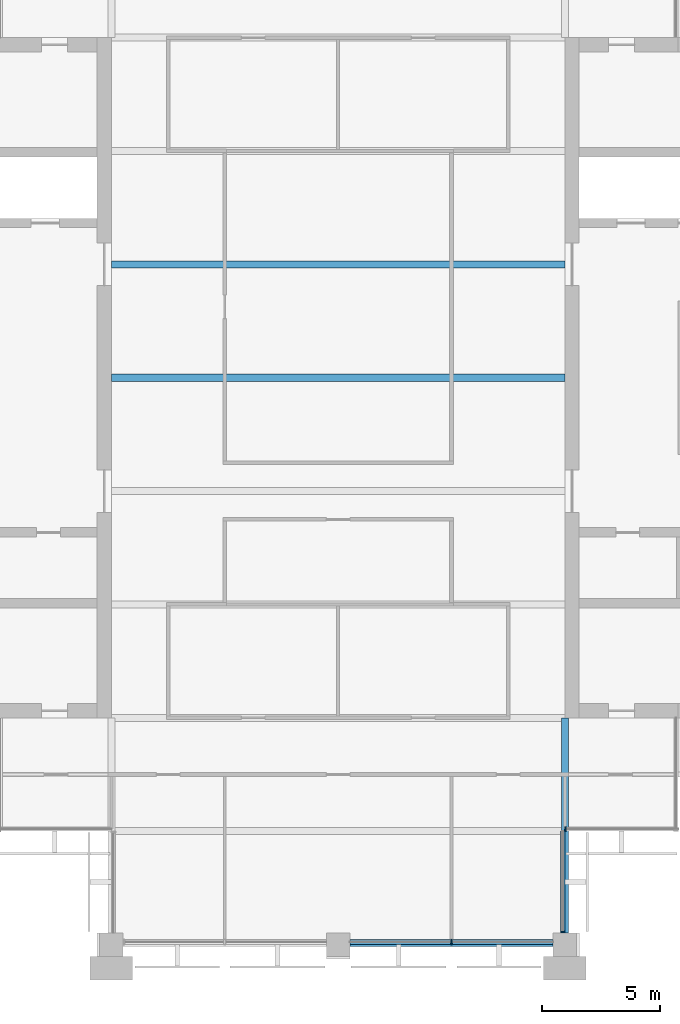
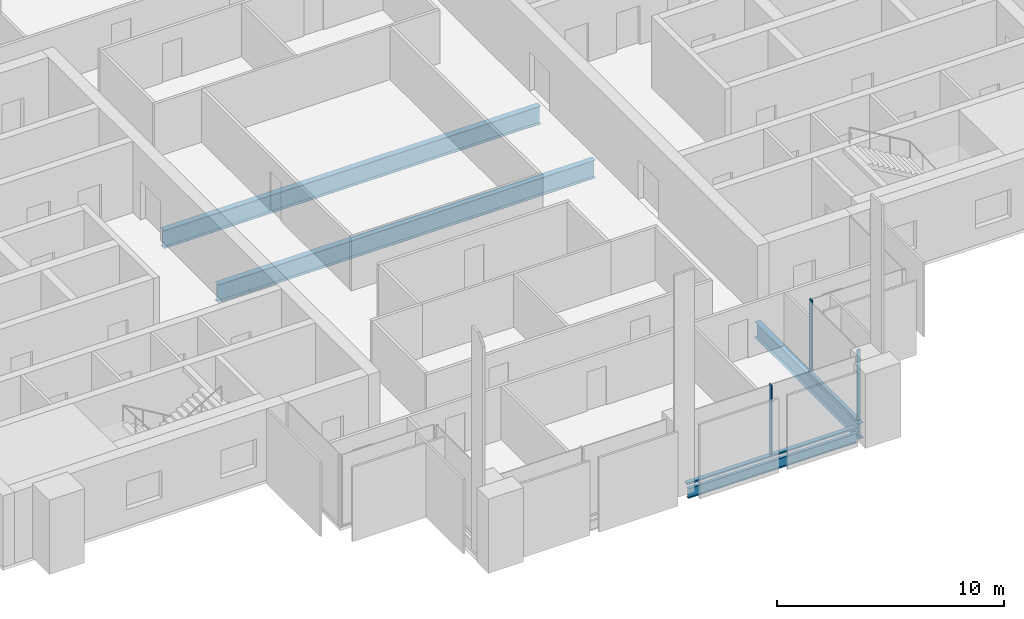
# One storey, part 3 of 13: 5 members, 4 beams, 3 elements without a shape of their own.
"""IFC4 building model written with IfcOpenShell, lengths in metres."""

from ifc_helpers import new_model, si_unit, direction, frame, origin, origin_2d, place, context, subcontext, project, spatial, rectangle, i_section, extrude, material, material_profile, profile_set, type_object, element, aggregate, save


model = new_model("IFC4")

# Units and contexts
model_context = context("Model", 3, precision=1e-05, world=origin(), true_north=direction((0.0, 1.0)))
body_context = subcontext(model_context, "Body", "Model", "MODEL_VIEW")
ifc_project = project(units=[si_unit("LENGTHUNIT", "METRE"), si_unit("AREAUNIT", "SQUARE_METRE"), si_unit("VOLUMEUNIT", "CUBIC_METRE"), si_unit("PLANEANGLEUNIT", "RADIAN"), si_unit("MASSUNIT", "GRAM", prefix="KILO")], contexts=[model_context])

# Site, building, storey
site_placement = place(None, origin())
site = spatial("IfcSite", under=ifc_project, at=site_placement, CompositionType="ELEMENT")
building_placement = place(site_placement, origin())
building = spatial("IfcBuilding", under=site, at=building_placement, Name="Baori Bourse Tower", CompositionType="ELEMENT")
storey_placement = place(building_placement, frame((0.0, 0.0, 330.300048828125)))
storey = spatial("IfcBuildingStorey", under=building, at=storey_placement, Name="L73", CompositionType="ELEMENT", Elevation=330.300048828125)

# Curtain wall, member
ifc_material_1 = material(Name="Pale anodised aluminium", Category="aluminium")
curtain_wall_type_1 = type_object("IfcCurtainWallType", Name="CW2 Curtain wall", PredefinedType="NOTDEFINED", material=ifc_material_1)
curtain_wall_1_placement = place(storey_placement, origin())
curtain_wall_1 = element("IfcCurtainWall", 1, at=curtain_wall_1_placement, inside=storey, type_object=curtain_wall_type_1, Name="Curtain wall CW2 L73 12", PredefinedType="NOTDEFINED")
ifc_material_2 = material(Name="Pale anodised aluminium", Category="aluminium")
ifc_material_profile_1 = material_profile(ifc_material_2, rectangle(XDim=0.179931640625, YDim=0.054931640625, at=origin_2d()), Name="Mullion 55x180")
ifc_profile_set_1 = profile_set([ifc_material_profile_1], Name="Pale anodised aluminium")
member_type_1 = type_object("IfcMemberType", Name="CW2 Curtain wall mullion", PredefinedType="MULLION", material=ifc_profile_set_1)
member_1_placement = place(storey_placement, frame((38.31005859375, 0.527587890625, 0.070068359375), z_axis=(0.0, 0.0, 1.0), x_axis=(-1.0, 0.0, 0.0)))
member_1 = element("IfcMember", 2, at=member_1_placement, type_object=member_type_1, Name="Curtain wall CW2 mullion", PredefinedType="MULLION", context=body_context, shape_type="SweptSolid", body=[
    extrude(rectangle(XDim=0.179931640625, YDim=0.054931640625, at=origin_2d()), origin(), (0.0, 0.0, 1.0), 3.769775390625),
])

curtain_wall_2_placement = place(storey_placement, origin())
curtain_wall_2 = element("IfcCurtainWall", 3, at=curtain_wall_2_placement, inside=storey, type_object=curtain_wall_type_1, Name="Curtain wall CW2 L73 13", PredefinedType="NOTDEFINED")
member_2_placement = place(storey_placement, frame((38.427490234375, 4.889892578125, 0.070068359375), z_axis=(0.0, 0.0, 1.0), x_axis=(0.0, 1.0, 0.0)))
member_2 = element("IfcMember", 4, at=member_2_placement, type_object=member_type_1, Name="Curtain wall CW2 mullion", PredefinedType="MULLION", context=body_context, shape_type="SweptSolid", body=[
    extrude(rectangle(XDim=0.179931640625, YDim=0.054931640625, at=origin_2d()), origin(), (0.0, 0.0, 1.0), 3.769775390625),
])
aggregate(curtain_wall_2, [member_2])

# Member
ifc_material_3 = material(Name="Pale anodised aluminium", Category="aluminium")
ifc_material_profile_2 = material_profile(ifc_material_3, rectangle(XDim=0.179931640625, YDim=0.070068359375, at=origin_2d()), Name="Transom 70x180")
ifc_profile_set_2 = profile_set([ifc_material_profile_2], Name="Pale anodised aluminium")
member_type_2 = type_object("IfcMemberType", Name="CW2 Curtain wall transom", PredefinedType="USERDEFINED", material=ifc_profile_set_2)
member_3_placement = place(storey_placement, frame((38.31005859375, 0.5, 0.034912109375), z_axis=(0.0, 1.0, 0.0), x_axis=(-1.0, 0.0, 0.0)))
member_3 = element("IfcMember", 5, at=member_3_placement, type_object=member_type_2, Name="Curtain wall CW2 sill rail", ObjectType="TRANSOM", PredefinedType="USERDEFINED", context=body_context, shape_type="SweptSolid", body=[
    extrude(rectangle(XDim=0.179931640625, YDim=0.070068359375, at=origin_2d()), origin(), (0.0, 0.0, 1.0), 4.300048828125),
])

aggregate(curtain_wall_1, [member_3, member_1])

# Curtain wall, members
ifc_material_4 = material(Name="Pale anodised aluminium", Category="aluminium")
curtain_wall_type_2 = type_object("IfcCurtainWallType", Name="CW5 Curtain wall", PredefinedType="NOTDEFINED", material=ifc_material_4)
curtain_wall_3_placement = place(storey_placement, origin())
curtain_wall_3 = element("IfcCurtainWall", 6, at=curtain_wall_3_placement, inside=storey, type_object=curtain_wall_type_2, Name="Curtain wall CW5 L73 11", PredefinedType="NOTDEFINED")
ifc_material_5 = material(Name="Pale anodised aluminium", Category="aluminium")
ifc_material_profile_3 = material_profile(ifc_material_5, rectangle(XDim=0.219970703125, YDim=0.06494140625, at=origin_2d()), Name="Mullion 65x220")
ifc_profile_set_3 = profile_set([ifc_material_profile_3], Name="Pale anodised aluminium")
member_type_3 = type_object("IfcMemberType", Name="CW5 Curtain wall mullion", PredefinedType="MULLION", material=ifc_profile_set_3)
member_4_placement = place(storey_placement, frame((33.60009765625, 0.110107421875, 0.0849609375), z_axis=(0.0, 0.0, 1.0), x_axis=(0.0, 1.0, 0.0)))
member_4 = element("IfcMember", 7, at=member_4_placement, type_object=member_type_3, Name="Curtain wall CW5 mullion", PredefinedType="MULLION", context=body_context, shape_type="SweptSolid", body=[
    extrude(rectangle(XDim=0.219970703125, YDim=0.06494140625, at=origin_2d()), origin(), (0.0, 0.0, 1.0), 3.7548828125),
])
ifc_material_6 = material(Name="Pale anodised aluminium", Category="aluminium")
ifc_material_profile_4 = material_profile(ifc_material_6, rectangle(XDim=0.219970703125, YDim=0.0849609375, at=origin_2d()), Name="Transom 85x220")
ifc_profile_set_4 = profile_set([ifc_material_profile_4], Name="Pale anodised aluminium")
member_type_4 = type_object("IfcMemberType", Name="CW5 Curtain wall transom", PredefinedType="USERDEFINED", material=ifc_profile_set_4)
member_5_placement = place(storey_placement, frame((29.300048828125, 0.110107421875, 0.04248046875), z_axis=(1.0, 0.0, 0.0), x_axis=(0.0, 1.0, 0.0)))
member_5 = element("IfcMember", 8, at=member_5_placement, type_object=member_type_4, Name="Curtain wall CW5 sill rail", ObjectType="TRANSOM", PredefinedType="USERDEFINED", context=body_context, shape_type="SweptSolid", body=[
    extrude(rectangle(XDim=0.219970703125, YDim=0.0849609375, at=origin_2d()), origin(), (0.0, 0.0, 1.0), 8.599853515625),
])
aggregate(curtain_wall_3, [member_5, member_4])

# Beams
ifc_material_7 = material(Name="Steel A992 Gr 50", Category="steel")
ifc_material_profile_5 = material_profile(ifc_material_7, i_section(OverallWidth=0.1650390625, OverallDepth=0.52587890625, WebThickness=0.0087890625, FlangeThickness=0.011474609375, at=origin_2d()), Name="W21x44")
ifc_profile_set_5 = profile_set([ifc_material_profile_5], Name="Steel A992 Gr 50")
beam_type_1 = type_object("IfcBeamType", Name="Edge beam W21x44", PredefinedType="BEAM", material=ifc_profile_set_5)
beam_1_placement = place(storey_placement, frame((29.300048828125, 0.0, -0.4228515625), z_axis=(1.0, 0.0, 0.0), x_axis=(0.0, 1.0, 0.0)))
element("IfcBeam", 9, at=beam_1_placement, inside=storey, type_object=beam_type_1, Name="Edge beam L73", PredefinedType="BEAM", context=body_context, shape_type="SweptSolid", body=[
    extrude(i_section(OverallWidth=0.1650390625, OverallDepth=0.52587890625, WebThickness=0.0087890625, FlangeThickness=0.011474609375, at=origin_2d()), origin(), (0.0, 0.0, 1.0), 8.599853515625),
])
ifc_material_8 = material(Name="Steel A992 Gr 50", Category="steel")
ifc_material_profile_6 = material_profile(ifc_material_8, i_section(OverallWidth=0.2998046875, OverallDepth=0.97021484375, WebThickness=0.01611328125, FlangeThickness=0.02099609375, at=origin_2d()), Name="W40x149")
ifc_profile_set_6 = profile_set([ifc_material_profile_6], Name="Steel A992 Gr 50")
beam_type_2 = type_object("IfcBeamType", Name="Floor beam W40x149", PredefinedType="BEAM", material=ifc_profile_set_6)
for number, where, z_axis, x_axis, name in (
    (10, (19.199951171875, 24.0, -0.645263671875), (1.0, 0.0, 0.0), (0.0, 1.0, 0.0), "Floor beam L73"),
    (11, (19.199951171875, 28.800048828125, -0.645263671875), (1.0, 0.0, 0.0), (0.0, 1.0, 0.0), "Floor beam L73"),
):
    element("IfcBeam", number, at=place(storey_placement, frame(where, z_axis=z_axis, x_axis=x_axis)), inside=storey, type_object=beam_type_2, Name=name, PredefinedType="BEAM", context=body_context, shape_type="SweptSolid", body=[
        extrude(i_section(OverallWidth=0.2998046875, OverallDepth=0.97021484375, WebThickness=0.01611328125, FlangeThickness=0.02099609375, at=origin_2d()), origin(), (0.0, 0.0, 1.0), 19.199951171875),
    ])
ifc_material_9 = material(Name="Steel A992 Gr 50", Category="steel")
ifc_material_profile_7 = material_profile(ifc_material_9, i_section(OverallWidth=0.2919921875, OverallDepth=0.835693359375, WebThickness=0.013916015625, FlangeThickness=0.018798828125, at=origin_2d()), Name="W33x118")
ifc_profile_set_7 = profile_set([ifc_material_profile_7], Name="Steel A992 Gr 50")
beam_type_3 = type_object("IfcBeamType", Name="Girder W33x118", PredefinedType="BEAM", material=ifc_profile_set_7)
beam_2_placement = place(storey_placement, frame((38.39990234375, 0.5, -0.577880859375), z_axis=(0.0, 1.0, 0.0), x_axis=(-1.0, 0.0, 0.0)))
element("IfcBeam", 12, at=beam_2_placement, inside=storey, type_object=beam_type_3, Name="Girder L73", PredefinedType="BEAM", context=body_context, shape_type="SweptSolid", body=[
    extrude(i_section(OverallWidth=0.2919921875, OverallDepth=0.835693359375, WebThickness=0.013916015625, FlangeThickness=0.018798828125, at=origin_2d()), origin(), (0.0, 0.0, 1.0), 9.10009765625),
])

save(model, "model.ifc")
